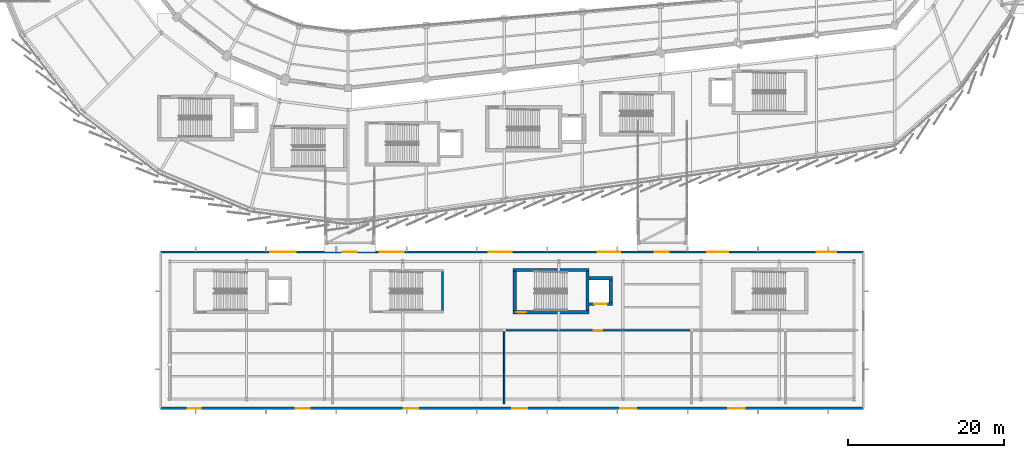
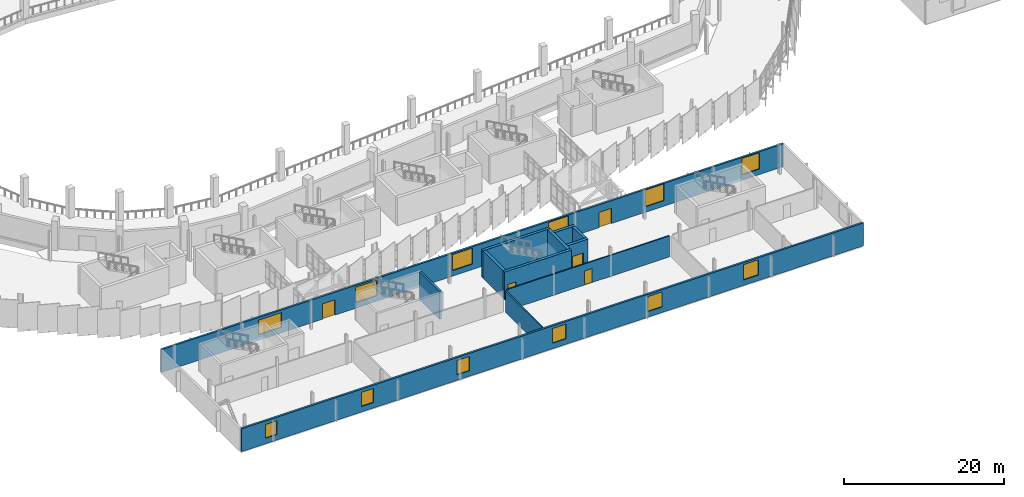
# One storey, part 103 of 125: 12 walls, 12 windows, 5 doors, 17 openings.
"""IFC4 building model written with IfcOpenShell, lengths in metres."""

from ifc_helpers import new_model, si_unit, direction, frame, frame_2d, origin, place, context, subcontext, project, spatial, rectangle, extrude, material, layer, layer_set, type_object, element, fill, save


model = new_model("IFC4")

# Units and contexts
model_context = context("Model", 3, precision=1e-05, world=origin(), true_north=direction((0.0, 1.0)))
body_context = subcontext(model_context, "Body", "Model", "MODEL_VIEW")
ifc_project = project(units=[si_unit("LENGTHUNIT", "METRE"), si_unit("AREAUNIT", "SQUARE_METRE"), si_unit("VOLUMEUNIT", "CUBIC_METRE"), si_unit("PLANEANGLEUNIT", "RADIAN"), si_unit("MASSUNIT", "GRAM", prefix="KILO")], contexts=[model_context])

# Site, building, storey
site_placement = place(None, origin())
site = spatial("IfcSite", under=ifc_project, at=site_placement, CompositionType="ELEMENT")
building_placement = place(site_placement, origin())
building = spatial("IfcBuilding", under=site, at=building_placement, Name="Sohan Crest Arena", CompositionType="ELEMENT")
storey_placement = place(building_placement, frame((0.0, 0.0, 9.0)))
storey = spatial("IfcBuildingStorey", under=building, at=storey_placement, Name="L02", CompositionType="ELEMENT", Elevation=9.0)

# Wall, openings, windows
ifc_material_1 = material(Name="Clinker brick and ceramic mosaic envelope wall", Category="masonry")
ifc_layer_1 = layer(ifc_material_1, 0.280029296875, Name="Clinker brick and ceramic mosaic envelope wall")
ifc_layer_set_1 = layer_set([ifc_layer_1], Name="Clinker brick and ceramic mosaic envelope wall")
wall_type_1 = type_object("IfcWallType", Name="WAL-EW02", PredefinedType="SOLIDWALL", material=ifc_layer_set_1)
wall_1_placement = place(storey_placement, frame((74.0, 6.0, 0.0), z_axis=(0.0, 0.0, 1.0), x_axis=(1.0, 0.0, 0.0)))
wall_1 = element("IfcWall", 1, at=wall_1_placement, inside=storey, type_object=wall_type_1, Name="External wall EW-134", PredefinedType="SOLIDWALL", context=body_context, shape_type="SweptSolid", body=[
    extrude(rectangle(XDim=90.0, YDim=0.280029296875, at=frame_2d((45.0, 0.0))), origin(), (0.0, 0.0, 1.0), 3.5),
])
opening_1_placement = place(wall_1_placement, frame((3.5, 0.0, 0.85009765625)))
opening_1 = element("IfcOpeningElement", 2, at=opening_1_placement, cuts=wall_1, Name="Opening W-051", PredefinedType="OPENING", context=body_context, shape_type="SweptSolid", body=[
    extrude(rectangle(XDim=1.64990234375, YDim=2.10009765625, at=frame_2d((0.824951171875, 1.050048828125))), frame((0.0, 0.14990234375, 0.0), z_axis=(0.0, -1.0, 0.0), x_axis=(1.0, 0.0, 0.0)), (0.0, 0.0, 1.0), 0.300048828125),
])
opening_2_placement = place(wall_1_placement, frame((17.3330078125, 0.0, 0.85009765625)))
opening_2 = element("IfcOpeningElement", 3, at=opening_2_placement, cuts=wall_1, Name="Opening W-052", PredefinedType="OPENING", context=body_context, shape_type="SweptSolid", body=[
    extrude(rectangle(XDim=1.75, YDim=2.14990234375, at=frame_2d((0.875, 1.074951171875))), frame((0.0, 0.14990234375, 0.0), z_axis=(0.0, -1.0, 0.0), x_axis=(1.0, 0.0, 0.0)), (0.0, 0.0, 1.0), 0.300048828125),
])
opening_3_placement = place(wall_1_placement, frame((31.1669921875, 0.0, 0.85009765625)))
opening_3 = element("IfcOpeningElement", 4, at=opening_3_placement, cuts=wall_1, Name="Opening W-053", PredefinedType="OPENING", context=body_context, shape_type="SweptSolid", body=[
    extrude(rectangle(XDim=1.85009765625, YDim=2.199951171875, at=frame_2d((0.925048828125, 1.10009765625))), frame((0.0, 0.14990234375, 0.0), z_axis=(0.0, -1.0, 0.0), x_axis=(1.0, 0.0, 0.0)), (0.0, 0.0, 1.0), 0.300048828125),
])
opening_4_placement = place(wall_1_placement, frame((45.0, 0.0, 0.85009765625)))
opening_4 = element("IfcOpeningElement", 5, at=opening_4_placement, cuts=wall_1, Name="Opening W-054", PredefinedType="OPENING", context=body_context, shape_type="SweptSolid", body=[
    extrude(rectangle(XDim=1.949951171875, YDim=2.25, at=frame_2d((0.97509765625, 1.125))), frame((0.0, 0.14990234375, 0.0), z_axis=(0.0, -1.0, 0.0), x_axis=(1.0, 0.0, 0.0)), (0.0, 0.0, 1.0), 0.300048828125),
])
opening_5_placement = place(wall_1_placement, frame((58.8330078125, 0.0, 0.85009765625)))
opening_5 = element("IfcOpeningElement", 6, at=opening_5_placement, cuts=wall_1, Name="Opening W-055", PredefinedType="OPENING", context=body_context, shape_type="SweptSolid", body=[
    extrude(rectangle(XDim=2.050048828125, YDim=2.300048828125, at=frame_2d((1.02490234375, 1.14990234375))), frame((0.0, 0.14990234375, 0.0), z_axis=(0.0, -1.0, 0.0), x_axis=(1.0, 0.0, 0.0)), (0.0, 0.0, 1.0), 0.300048828125),
])
opening_6_placement = place(wall_1_placement, frame((72.6669921875, 0.0, 0.85009765625)))
opening_6 = element("IfcOpeningElement", 7, at=opening_6_placement, cuts=wall_1, Name="Opening W-056", PredefinedType="OPENING", context=body_context, shape_type="SweptSolid", body=[
    extrude(rectangle(XDim=2.14990234375, YDim=2.35009765625, at=frame_2d((1.074951171875, 1.175048828125))), frame((0.0, 0.14990234375, 0.0), z_axis=(0.0, -1.0, 0.0), x_axis=(1.0, 0.0, 0.0)), (0.0, 0.0, 1.0), 0.300048828125),
])
ifc_material_2 = material(Name="Low-E double-glazed insulated glass", Category="glass")
window_type_1 = type_object("IfcWindowType", Name="WIN-W19", PartitioningType="SINGLE_PANEL", PredefinedType="WINDOW", material=ifc_material_2)
window_1_placement = place(opening_1_placement, origin())
window_1 = element("IfcWindow", 8, at=window_1_placement, inside=storey, type_object=window_type_1, Name="Catalan arched wing window W-051", OverallHeight=2.10009765625, OverallWidth=1.64990234375, PartitioningType="SINGLE_PANEL", PredefinedType="WINDOW", context=body_context, shape_type="SweptSolid", body=[
    extrude(rectangle(XDim=1.64990234375, YDim=2.10009765625, at=frame_2d((0.824951171875, 1.050048828125))), frame((0.0, 0.030029296875, 0.0), z_axis=(0.0, -1.0, 0.0), x_axis=(1.0, 0.0, 0.0)), (0.0, 0.0, 1.0), 0.06005859375),
])
fill(opening_1, window_1)
window_type_2 = type_object("IfcWindowType", Name="WIN-W20", PartitioningType="SINGLE_PANEL", PredefinedType="WINDOW", material=ifc_material_2)
window_2_placement = place(opening_2_placement, origin())
window_2 = element("IfcWindow", 9, at=window_2_placement, inside=storey, type_object=window_type_2, Name="Catalan arched wing window W-052", OverallHeight=2.14990234375, OverallWidth=1.75, PartitioningType="SINGLE_PANEL", PredefinedType="WINDOW", context=body_context, shape_type="SweptSolid", body=[
    extrude(rectangle(XDim=1.75, YDim=2.14990234375, at=frame_2d((0.875, 1.074951171875))), frame((0.0, 0.030029296875, 0.0), z_axis=(0.0, -1.0, 0.0), x_axis=(1.0, 0.0, 0.0)), (0.0, 0.0, 1.0), 0.06005859375),
])
fill(opening_2, window_2)
window_type_3 = type_object("IfcWindowType", Name="WIN-W21", PartitioningType="SINGLE_PANEL", PredefinedType="WINDOW", material=ifc_material_2)
window_3_placement = place(opening_3_placement, origin())
window_3 = element("IfcWindow", 10, at=window_3_placement, inside=storey, type_object=window_type_3, Name="Catalan arched wing window W-053", OverallHeight=2.199951171875, OverallWidth=1.85009765625, PartitioningType="SINGLE_PANEL", PredefinedType="WINDOW", context=body_context, shape_type="SweptSolid", body=[
    extrude(rectangle(XDim=1.85009765625, YDim=2.199951171875, at=frame_2d((0.925048828125, 1.10009765625))), frame((0.0, 0.030029296875, 0.0), z_axis=(0.0, -1.0, 0.0), x_axis=(1.0, 0.0, 0.0)), (0.0, 0.0, 1.0), 0.06005859375),
])
fill(opening_3, window_3)
window_type_4 = type_object("IfcWindowType", Name="WIN-W22", PartitioningType="SINGLE_PANEL", PredefinedType="WINDOW", material=ifc_material_2)
window_4_placement = place(opening_4_placement, origin())
window_4 = element("IfcWindow", 11, at=window_4_placement, inside=storey, type_object=window_type_4, Name="Catalan arched wing window W-054", OverallHeight=2.25, OverallWidth=1.949951171875, PartitioningType="SINGLE_PANEL", PredefinedType="WINDOW", context=body_context, shape_type="SweptSolid", body=[
    extrude(rectangle(XDim=1.949951171875, YDim=2.25, at=frame_2d((0.97509765625, 1.125))), frame((0.0, 0.030029296875, 0.0), z_axis=(0.0, -1.0, 0.0), x_axis=(1.0, 0.0, 0.0)), (0.0, 0.0, 1.0), 0.06005859375),
])
fill(opening_4, window_4)
window_type_5 = type_object("IfcWindowType", Name="WIN-W23", PartitioningType="SINGLE_PANEL", PredefinedType="WINDOW", material=ifc_material_2)
window_5_placement = place(opening_5_placement, origin())
window_5 = element("IfcWindow", 12, at=window_5_placement, inside=storey, type_object=window_type_5, Name="Catalan arched wing window W-055", OverallHeight=2.300048828125, OverallWidth=2.050048828125, PartitioningType="SINGLE_PANEL", PredefinedType="WINDOW", context=body_context, shape_type="SweptSolid", body=[
    extrude(rectangle(XDim=2.050048828125, YDim=2.300048828125, at=frame_2d((1.02490234375, 1.14990234375))), frame((0.0, 0.030029296875, 0.0), z_axis=(0.0, -1.0, 0.0), x_axis=(1.0, 0.0, 0.0)), (0.0, 0.0, 1.0), 0.06005859375),
])
fill(opening_5, window_5)
window_type_6 = type_object("IfcWindowType", Name="WIN-W24", PartitioningType="SINGLE_PANEL", PredefinedType="WINDOW", material=ifc_material_2)
window_6_placement = place(opening_6_placement, origin())
window_6 = element("IfcWindow", 13, at=window_6_placement, inside=storey, type_object=window_type_6, Name="Catalan arched wing window W-056", OverallHeight=2.35009765625, OverallWidth=2.14990234375, PartitioningType="SINGLE_PANEL", PredefinedType="WINDOW", context=body_context, shape_type="SweptSolid", body=[
    extrude(rectangle(XDim=2.14990234375, YDim=2.35009765625, at=frame_2d((1.074951171875, 1.175048828125))), frame((0.0, 0.030029296875, 0.0), z_axis=(0.0, -1.0, 0.0), x_axis=(1.0, 0.0, 0.0)), (0.0, 0.0, 1.0), 0.06005859375),
])
fill(opening_6, window_6)

# Wall, openings, doors, windows
wall_2_placement = place(storey_placement, frame((164.0, 26.0, 0.0), z_axis=(0.0, 0.0, 1.0), x_axis=(-1.0, 0.0, 0.0)))
wall_2 = element("IfcWall", 14, at=wall_2_placement, inside=storey, type_object=wall_type_1, Name="External wall EW-136", PredefinedType="SOLIDWALL", context=body_context, shape_type="SweptSolid", body=[
    extrude(rectangle(XDim=90.0, YDim=0.280029296875, at=frame_2d((45.0, 0.0))), origin(), (0.0, 0.0, 1.0), 3.5),
])
opening_7_placement = place(wall_2_placement, frame((3.5, 0.0, 0.85009765625)))
opening_7 = element("IfcOpeningElement", 15, at=opening_7_placement, cuts=wall_2, Name="Opening W-059", PredefinedType="OPENING", context=body_context, shape_type="SweptSolid", body=[
    extrude(rectangle(XDim=2.5, YDim=2.5, at=frame_2d((1.25, 1.25))), frame((0.0, 0.14990234375, 0.0), z_axis=(0.0, -1.0, 0.0), x_axis=(1.0, 0.0, 0.0)), (0.0, 0.0, 1.0), 0.300048828125),
])
opening_8_placement = place(wall_2_placement, frame((17.3330078125, 0.0, 0.85009765625)))
opening_8 = element("IfcOpeningElement", 16, at=opening_8_placement, cuts=wall_2, Name="Opening W-060", PredefinedType="OPENING", context=body_context, shape_type="SweptSolid", body=[
    extrude(rectangle(XDim=2.64990234375, YDim=2.550048828125, at=frame_2d((1.324951171875, 1.27490234375))), frame((0.0, 0.14990234375, 0.0), z_axis=(0.0, -1.0, 0.0), x_axis=(1.0, 0.0, 0.0)), (0.0, 0.0, 1.0), 0.300048828125),
])
opening_9_placement = place(wall_2_placement, frame((31.1669921875, 0.0, 0.85009765625)))
opening_9 = element("IfcOpeningElement", 17, at=opening_9_placement, cuts=wall_2, Name="Opening W-061", PredefinedType="OPENING", context=body_context, shape_type="SweptSolid", body=[
    extrude(rectangle(XDim=2.85009765625, YDim=2.5, at=frame_2d((1.425048828125, 1.25))), frame((0.0, 0.14990234375, 0.0), z_axis=(0.0, -1.0, 0.0), x_axis=(1.0, 0.0, 0.0)), (0.0, 0.0, 1.0), 0.300048828125),
])
opening_10_placement = place(wall_2_placement, frame((45.0, 0.0, 0.85009765625)))
opening_10 = element("IfcOpeningElement", 18, at=opening_10_placement, cuts=wall_2, Name="Opening W-062", PredefinedType="OPENING", context=body_context, shape_type="SweptSolid", body=[
    extrude(rectangle(XDim=2.949951171875, YDim=2.449951171875, at=frame_2d((1.47509765625, 1.22509765625))), frame((0.0, 0.14990234375, 0.0), z_axis=(0.0, -1.0, 0.0), x_axis=(1.0, 0.0, 0.0)), (0.0, 0.0, 1.0), 0.300048828125),
])
opening_11_placement = place(wall_2_placement, frame((58.8330078125, 0.0, 0.85009765625)))
opening_11 = element("IfcOpeningElement", 19, at=opening_11_placement, cuts=wall_2, Name="Opening W-063", PredefinedType="OPENING", context=body_context, shape_type="SweptSolid", body=[
    extrude(rectangle(XDim=3.10009765625, YDim=2.35009765625, at=frame_2d((1.550048828125, 1.175048828125))), frame((0.0, 0.14990234375, 0.0), z_axis=(0.0, -1.0, 0.0), x_axis=(1.0, 0.0, 0.0)), (0.0, 0.0, 1.0), 0.300048828125),
])
opening_12_placement = place(wall_2_placement, frame((72.6669921875, 0.0, 0.85009765625)))
opening_12 = element("IfcOpeningElement", 20, at=opening_12_placement, cuts=wall_2, Name="Opening W-064", PredefinedType="OPENING", context=body_context, shape_type="SweptSolid", body=[
    extrude(rectangle(XDim=3.300048828125, YDim=2.25, at=frame_2d((1.64990234375, 1.125))), frame((0.0, 0.14990234375, 0.0), z_axis=(0.0, -1.0, 0.0), x_axis=(1.0, 0.0, 0.0)), (0.0, 0.0, 1.0), 0.300048828125),
])
opening_13_placement = place(wall_2_placement, frame((64.89990234375, 0.0, 0.0)))
opening_13 = element("IfcOpeningElement", 21, at=opening_13_placement, cuts=wall_2, Name="Opening V5B-L02-98", PredefinedType="OPENING", context=body_context, shape_type="SweptSolid", body=[
    extrude(rectangle(XDim=1.800048828125, YDim=2.35009765625, at=frame_2d((0.89990234375, 1.175048828125))), frame((0.0, 0.14990234375, 0.0), z_axis=(0.0, -1.0, 0.0), x_axis=(1.0, 0.0, 0.0)), (0.0, 0.0, 1.0), 0.300048828125),
])
opening_14_placement = place(wall_2_placement, frame((24.89990234375, 0.0, 0.0)))
opening_14 = element("IfcOpeningElement", 22, at=opening_14_placement, cuts=wall_2, Name="Opening V5B-L02-138", PredefinedType="OPENING", context=body_context, shape_type="SweptSolid", body=[
    extrude(rectangle(XDim=1.800048828125, YDim=2.35009765625, at=frame_2d((0.89990234375, 1.175048828125))), frame((0.0, 0.14990234375, 0.0), z_axis=(0.0, -1.0, 0.0), x_axis=(1.0, 0.0, 0.0)), (0.0, 0.0, 1.0), 0.300048828125),
])
ifc_material_3 = material(Name="Glazed aluminium terrace access door", Category="aluminium")
door_type_1 = type_object("IfcDoorType", Name="DR-ED01", OperationType="DOUBLE_DOOR_SINGLE_SWING", PredefinedType="DOOR", material=ifc_material_3)
door_1_placement = place(opening_13_placement, frame((1.800048828125, 0.0, 0.0), z_axis=(0.0, 0.0, 1.0), x_axis=(-1.0, 0.0, 0.0)))
door_1 = element("IfcDoor", 23, at=door_1_placement, inside=storey, type_object=door_type_1, Name="BOH bridge passage door V5B-L02-98", OperationType="DOUBLE_DOOR_SINGLE_SWING", OverallHeight=2.35009765625, OverallWidth=1.800048828125, PredefinedType="DOOR", context=body_context, shape_type="SweptSolid", body=[
    extrude(rectangle(XDim=1.800048828125, YDim=2.35009765625, at=frame_2d((0.89990234375, 1.175048828125))), frame((0.0, 0.02490234375, 0.0), z_axis=(0.0, -1.0, 0.0), x_axis=(1.0, 0.0, 0.0)), (0.0, 0.0, 1.0), 0.050048828125),
])
fill(opening_13, door_1)
door_2_placement = place(opening_14_placement, frame((1.800048828125, 0.0, 0.0), z_axis=(0.0, 0.0, 1.0), x_axis=(-1.0, 0.0, 0.0)))
door_2 = element("IfcDoor", 24, at=door_2_placement, inside=storey, type_object=door_type_1, Name="BOH bridge passage door V5B-L02-138", OperationType="DOUBLE_DOOR_SINGLE_SWING", OverallHeight=2.35009765625, OverallWidth=1.800048828125, PredefinedType="DOOR", context=body_context, shape_type="SweptSolid", body=[
    extrude(rectangle(XDim=1.800048828125, YDim=2.35009765625, at=frame_2d((0.89990234375, 1.175048828125))), frame((0.0, 0.02490234375, 0.0), z_axis=(0.0, -1.0, 0.0), x_axis=(1.0, 0.0, 0.0)), (0.0, 0.0, 1.0), 0.050048828125),
])
fill(opening_14, door_2)
window_type_7 = type_object("IfcWindowType", Name="WIN-W27", PartitioningType="SINGLE_PANEL", PredefinedType="WINDOW", material=ifc_material_2)
window_7_placement = place(opening_7_placement, origin())
window_7 = element("IfcWindow", 25, at=window_7_placement, inside=storey, type_object=window_type_7, Name="Catalan arched wing window W-059", OverallHeight=2.5, OverallWidth=2.5, PartitioningType="SINGLE_PANEL", PredefinedType="WINDOW", context=body_context, shape_type="SweptSolid", body=[
    extrude(rectangle(XDim=2.5, YDim=2.5, at=frame_2d((1.25, 1.25))), frame((0.0, 0.030029296875, 0.0), z_axis=(0.0, -1.0, 0.0), x_axis=(1.0, 0.0, 0.0)), (0.0, 0.0, 1.0), 0.06005859375),
])
fill(opening_7, window_7)
window_type_8 = type_object("IfcWindowType", Name="WIN-W28", PartitioningType="SINGLE_PANEL", PredefinedType="WINDOW", material=ifc_material_2)
window_8_placement = place(opening_8_placement, origin())
window_8 = element("IfcWindow", 26, at=window_8_placement, inside=storey, type_object=window_type_8, Name="Catalan arched wing window W-060", OverallHeight=2.550048828125, OverallWidth=2.64990234375, PartitioningType="SINGLE_PANEL", PredefinedType="WINDOW", context=body_context, shape_type="SweptSolid", body=[
    extrude(rectangle(XDim=2.64990234375, YDim=2.550048828125, at=frame_2d((1.324951171875, 1.27490234375))), frame((0.0, 0.030029296875, 0.0), z_axis=(0.0, -1.0, 0.0), x_axis=(1.0, 0.0, 0.0)), (0.0, 0.0, 1.0), 0.06005859375),
])
fill(opening_8, window_8)
window_type_9 = type_object("IfcWindowType", Name="WIN-W29", PartitioningType="SINGLE_PANEL", PredefinedType="WINDOW", material=ifc_material_2)
window_9_placement = place(opening_9_placement, origin())
window_9 = element("IfcWindow", 27, at=window_9_placement, inside=storey, type_object=window_type_9, Name="Catalan arched wing window W-061", OverallHeight=2.5, OverallWidth=2.85009765625, PartitioningType="SINGLE_PANEL", PredefinedType="WINDOW", context=body_context, shape_type="SweptSolid", body=[
    extrude(rectangle(XDim=2.85009765625, YDim=2.5, at=frame_2d((1.425048828125, 1.25))), frame((0.0, 0.030029296875, 0.0), z_axis=(0.0, -1.0, 0.0), x_axis=(1.0, 0.0, 0.0)), (0.0, 0.0, 1.0), 0.06005859375),
])
fill(opening_9, window_9)
window_type_10 = type_object("IfcWindowType", Name="WIN-W30", PartitioningType="SINGLE_PANEL", PredefinedType="WINDOW", material=ifc_material_2)
window_10_placement = place(opening_10_placement, origin())
window_10 = element("IfcWindow", 28, at=window_10_placement, inside=storey, type_object=window_type_10, Name="Catalan arched wing window W-062", OverallHeight=2.449951171875, OverallWidth=2.949951171875, PartitioningType="SINGLE_PANEL", PredefinedType="WINDOW", context=body_context, shape_type="SweptSolid", body=[
    extrude(rectangle(XDim=2.949951171875, YDim=2.449951171875, at=frame_2d((1.47509765625, 1.22509765625))), frame((0.0, 0.030029296875, 0.0), z_axis=(0.0, -1.0, 0.0), x_axis=(1.0, 0.0, 0.0)), (0.0, 0.0, 1.0), 0.06005859375),
])
fill(opening_10, window_10)
window_type_11 = type_object("IfcWindowType", Name="WIN-W31", PartitioningType="SINGLE_PANEL", PredefinedType="WINDOW", material=ifc_material_2)
window_11_placement = place(opening_11_placement, origin())
window_11 = element("IfcWindow", 29, at=window_11_placement, inside=storey, type_object=window_type_11, Name="Catalan arched wing window W-063", OverallHeight=2.35009765625, OverallWidth=3.10009765625, PartitioningType="SINGLE_PANEL", PredefinedType="WINDOW", context=body_context, shape_type="SweptSolid", body=[
    extrude(rectangle(XDim=3.10009765625, YDim=2.35009765625, at=frame_2d((1.550048828125, 1.175048828125))), frame((0.0, 0.030029296875, 0.0), z_axis=(0.0, -1.0, 0.0), x_axis=(1.0, 0.0, 0.0)), (0.0, 0.0, 1.0), 0.06005859375),
])
fill(opening_11, window_11)
window_type_12 = type_object("IfcWindowType", Name="WIN-W32", PartitioningType="SINGLE_PANEL", PredefinedType="WINDOW", material=ifc_material_2)
window_12_placement = place(opening_12_placement, origin())
window_12 = element("IfcWindow", 30, at=window_12_placement, inside=storey, type_object=window_type_12, Name="Catalan arched wing window W-064", OverallHeight=2.25, OverallWidth=3.300048828125, PartitioningType="SINGLE_PANEL", PredefinedType="WINDOW", context=body_context, shape_type="SweptSolid", body=[
    extrude(rectangle(XDim=3.300048828125, YDim=2.25, at=frame_2d((1.64990234375, 1.125))), frame((0.0, 0.030029296875, 0.0), z_axis=(0.0, -1.0, 0.0), x_axis=(1.0, 0.0, 0.0)), (0.0, 0.0, 1.0), 0.06005859375),
])
fill(opening_12, window_12)

# Wall
ifc_material_4 = material(Name="Back-of-house masonry room partition", Category="masonry")
ifc_layer_2 = layer(ifc_material_4, 0.179931640625, Name="Back-of-house masonry room partition")
ifc_layer_set_2 = layer_set([ifc_layer_2], Name="Back-of-house masonry room partition")
wall_type_2 = type_object("IfcWallType", Name="WAL-PW05", PredefinedType="PARTITIONING", material=ifc_layer_set_2)
wall_3_placement = place(storey_placement, frame((118.0, 6.60009765625, 0.0), z_axis=(0.0, 0.0, 1.0), x_axis=(0.0, 1.0, 0.0)))
element("IfcWall", 31, at=wall_3_placement, inside=storey, type_object=wall_type_2, Name="Interior partition wall PW-0924", PredefinedType="PARTITIONING", context=body_context, shape_type="SweptSolid", body=[
    extrude(rectangle(XDim=9.199951171875, YDim=0.179931640625, at=frame_2d((4.60009765625, 0.0))), origin(), (0.0, 0.0, 1.0), 3.219970703125),
])

# Wall, opening, door
wall_4_placement = place(storey_placement, frame((118.25, 16.0, 0.0), z_axis=(0.0, 0.0, 1.0), x_axis=(1.0, 0.0, 0.0)))
wall_4 = element("IfcWall", 32, at=wall_4_placement, inside=storey, type_object=wall_type_2, Name="Interior partition wall PW-0925", PredefinedType="PARTITIONING", context=body_context, shape_type="SweptSolid", body=[
    extrude(rectangle(XDim=23.5, YDim=0.179931640625, at=frame_2d((11.75, 0.0))), origin(), (0.0, 0.0, 1.0), 3.219970703125),
])
opening_15_placement = place(wall_4_placement, frame((11.2099609375, 0.0, 0.0)))
opening_15 = element("IfcOpeningElement", 33, at=opening_15_placement, cuts=wall_4, Name="Opening V5D-0280", PredefinedType="OPENING", context=body_context, shape_type="SweptSolid", body=[
    extrude(rectangle(XDim=1.080078125, YDim=2.159912109375, at=frame_2d((0.5400390625, 1.080078125))), frame((0.0, 0.099853515625, 0.0), z_axis=(0.0, -1.0, 0.0), x_axis=(1.0, 0.0, 0.0)), (0.0, 0.0, 1.0), 0.199951171875),
])
ifc_material_5 = material(Name="Solid oak acoustic room door", Category="wood")
door_type_2 = type_object("IfcDoorType", Name="DR-ID10", OperationType="NOTDEFINED", PredefinedType="DOOR", material=ifc_material_5)
door_3_placement = place(opening_15_placement, origin())
door_3 = element("IfcDoor", 34, at=door_3_placement, inside=storey, type_object=door_type_2, Name="Event Operations Office door V5D-0280", OperationType="SINGLE_SWING_LEFT", OverallHeight=2.159912109375, OverallWidth=1.080078125, PredefinedType="DOOR", context=body_context, shape_type="SweptSolid", body=[
    extrude(rectangle(XDim=1.080078125, YDim=2.159912109375, at=frame_2d((0.5400390625, 1.080078125))), frame((0.0, 0.02490234375, 0.0), z_axis=(0.0, -1.0, 0.0), x_axis=(1.0, 0.0, 0.0)), (0.0, 0.0, 1.0), 0.050048828125),
])
fill(opening_15, door_3)

# Walls
ifc_material_6 = material(Name="Concrete C40/50", Category="concrete")
ifc_layer_3 = layer(ifc_material_6, 0.300048828125, Name="Concrete C40/50")
ifc_layer_set_3 = layer_set([ifc_layer_3], Name="Concrete C40/50")
wall_type_3 = type_object("IfcWallType", Name="WAL-SW01", PredefinedType="SHEAR", material=ifc_layer_set_3)
wall_5_placement = place(storey_placement, frame((110.10009765625, 18.5, 0.0), z_axis=(0.0, 0.0, 1.0), x_axis=(0.0, 1.0, 0.0)))
element("IfcWall", 35, at=wall_5_placement, inside=storey, type_object=wall_type_3, Name="Core shear wall SW-0520", PredefinedType="SHEAR", context=body_context, shape_type="SweptSolid", body=[
    extrude(rectangle(XDim=5.0, YDim=0.300048828125, at=frame_2d((2.5, 0.0))), origin(), (0.0, 0.0, 1.0), 4.25),
])
ifc_layer_4 = layer(ifc_material_6, 0.39990234375, Name="Concrete C40/50")
ifc_layer_set_4 = layer_set([ifc_layer_4], Name="Concrete C40/50")
wall_type_4 = type_object("IfcWallType", Name="WAL-SW03", PredefinedType="SHEAR", material=ifc_layer_set_4)
for number, where, z_axis, x_axis, name in (
    (36, (119.35009765625, 18.5, 0.0), (0.0, 0.0, 1.0), (0.0, 1.0, 0.0), "Core shear wall SW-0712"),
    (37, (128.64990234375, 18.5, 0.0), (0.0, 0.0, 1.0), (0.0, 1.0, 0.0), "Core shear wall SW-0713"),
):
    element("IfcWall", number, at=place(storey_placement, frame(where, z_axis=z_axis, x_axis=x_axis)), inside=storey, type_object=wall_type_4, Name=name, PredefinedType="SHEAR", context=body_context, shape_type="SweptSolid", body=[
        extrude(rectangle(XDim=5.0, YDim=0.39990234375, at=frame_2d((2.5, 0.0))), origin(), (0.0, 0.0, 1.0), 4.25),
    ])

# Wall, opening, door
wall_6_placement = place(storey_placement, frame((119.14990234375, 18.300048828125, 0.0), z_axis=(0.0, 0.0, 1.0), x_axis=(1.0, 0.0, 0.0)))
wall_6 = element("IfcWall", 38, at=wall_6_placement, inside=storey, type_object=wall_type_4, Name="Core shear wall SW-0714", PredefinedType="SHEAR", context=body_context, shape_type="SweptSolid", body=[
    extrude(rectangle(XDim=9.7001953125, YDim=0.39990234375, at=frame_2d((4.85009765625, 0.0))), origin(), (0.0, 0.0, 1.0), 4.25),
])
opening_16_placement = place(wall_6_placement, frame((0.449951171875, 0.0, 0.0)))
opening_16 = element("IfcOpeningElement", 39, at=opening_16_placement, cuts=wall_6, Name="Opening SD-0193", PredefinedType="OPENING", context=body_context, shape_type="SweptSolid", body=[
    extrude(rectangle(XDim=1.199951171875, YDim=2.199951171875, at=frame_2d((0.60009765625, 1.10009765625))), frame((0.0, 0.2099609375, 0.0), z_axis=(0.0, -1.0, 0.0), x_axis=(1.0, 0.0, 0.0)), (0.0, 0.0, 1.0), 0.419921875),
])
ifc_material_7 = material(Name="Fire-rated steel stair and lobby door", Category="steel")
door_type_3 = type_object("IfcDoorType", Name="DR-FD04", OperationType="NOTDEFINED", PredefinedType="DOOR", material=ifc_material_7)
door_4_placement = place(opening_16_placement, frame((1.199951171875, 0.0, 0.0), z_axis=(0.0, 0.0, 1.0), x_axis=(-1.0, 0.0, 0.0)))
door_4 = element("IfcDoor", 40, at=door_4_placement, inside=storey, type_object=door_type_3, Name="Protected stair door SD-0193", OperationType="SINGLE_SWING_RIGHT", OverallHeight=2.199951171875, OverallWidth=1.199951171875, PredefinedType="DOOR", context=body_context, shape_type="SweptSolid", body=[
    extrude(rectangle(XDim=1.199951171875, YDim=2.199951171875, at=frame_2d((0.60009765625, 1.10009765625))), frame((0.0, 0.02490234375, 0.0), z_axis=(0.0, -1.0, 0.0), x_axis=(1.0, 0.0, 0.0)), (0.0, 0.0, 1.0), 0.050048828125),
])
fill(opening_16, door_4)

# Walls
wall_7_placement = place(storey_placement, frame((119.14990234375, 23.699951171875, 0.0), z_axis=(0.0, 0.0, 1.0), x_axis=(1.0, 0.0, 0.0)))
element("IfcWall", 41, at=wall_7_placement, inside=storey, type_object=wall_type_4, Name="Core shear wall SW-0715", PredefinedType="SHEAR", context=body_context, shape_type="SweptSolid", body=[
    extrude(rectangle(XDim=9.7001953125, YDim=0.39990234375, at=frame_2d((4.85009765625, 0.0))), origin(), (0.0, 0.0, 1.0), 4.25),
])
wall_8_placement = place(storey_placement, frame((131.64990234375, 19.550048828125, 0.0), z_axis=(0.0, 0.0, 1.0), x_axis=(0.0, 1.0, 0.0)))
element("IfcWall", 42, at=wall_8_placement, inside=storey, type_object=wall_type_4, Name="Core shear wall SW-0716", PredefinedType="SHEAR", context=body_context, shape_type="SweptSolid", body=[
    extrude(rectangle(XDim=2.89990234375, YDim=0.39990234375, at=frame_2d((1.449951171875, 0.0))), origin(), (0.0, 0.0, 1.0), 4.25),
])

# Wall, opening, door
wall_9_placement = place(storey_placement, frame((128.85009765625, 19.35009765625, 0.0), z_axis=(0.0, 0.0, 1.0), x_axis=(1.0, 0.0, 0.0)))
wall_9 = element("IfcWall", 43, at=wall_9_placement, inside=storey, type_object=wall_type_4, Name="Core shear wall SW-0717", PredefinedType="SHEAR", context=body_context, shape_type="SweptSolid", body=[
    extrude(rectangle(XDim=3.0, YDim=0.39990234375, at=frame_2d((1.5, 0.0))), origin(), (0.0, 0.0, 1.0), 4.25),
])
opening_17_placement = place(wall_9_placement, frame((0.699951171875, 0.0, 0.0)))
opening_17 = element("IfcOpeningElement", 44, at=opening_17_placement, cuts=wall_9, Name="Opening LD-GF02-L02", PredefinedType="OPENING", context=body_context, shape_type="SweptSolid", body=[
    extrude(rectangle(XDim=1.60009765625, YDim=2.35009765625, at=frame_2d((0.800048828125, 1.175048828125))), frame((0.0, 0.2099609375, 0.0), z_axis=(0.0, -1.0, 0.0), x_axis=(1.0, 0.0, 0.0)), (0.0, 0.0, 1.0), 0.419921875),
])
ifc_material_8 = material(Name="Stainless steel goods lift landing door", Category="steel")
door_type_4 = type_object("IfcDoorType", Name="DR-LD03", OperationType="SLIDING_TO_LEFT", PredefinedType="DOOR", material=ifc_material_8)
door_5_placement = place(opening_17_placement, origin())
door_5 = element("IfcDoor", 45, at=door_5_placement, inside=storey, type_object=door_type_4, Name="Sliding lift landing door LD-GF02-L02", OperationType="SLIDING_TO_LEFT", OverallHeight=2.35009765625, OverallWidth=1.60009765625, PredefinedType="DOOR", context=body_context, shape_type="SweptSolid", body=[
    extrude(rectangle(XDim=1.60009765625, YDim=2.35009765625, at=frame_2d((0.800048828125, 1.175048828125))), frame((0.0, 0.02490234375, 0.0), z_axis=(0.0, -1.0, 0.0), x_axis=(1.0, 0.0, 0.0)), (0.0, 0.0, 1.0), 0.050048828125),
])
fill(opening_17, door_5)

# Wall
wall_10_placement = place(storey_placement, frame((128.85009765625, 22.64990234375, 0.0), z_axis=(0.0, 0.0, 1.0), x_axis=(1.0, 0.0, 0.0)))
element("IfcWall", 46, at=wall_10_placement, inside=storey, type_object=wall_type_4, Name="Core shear wall SW-0718", PredefinedType="SHEAR", context=body_context, shape_type="SweptSolid", body=[
    extrude(rectangle(XDim=3.0, YDim=0.39990234375, at=frame_2d((1.5, 0.0))), origin(), (0.0, 0.0, 1.0), 4.25),
])

save(model, "model.ifc")
